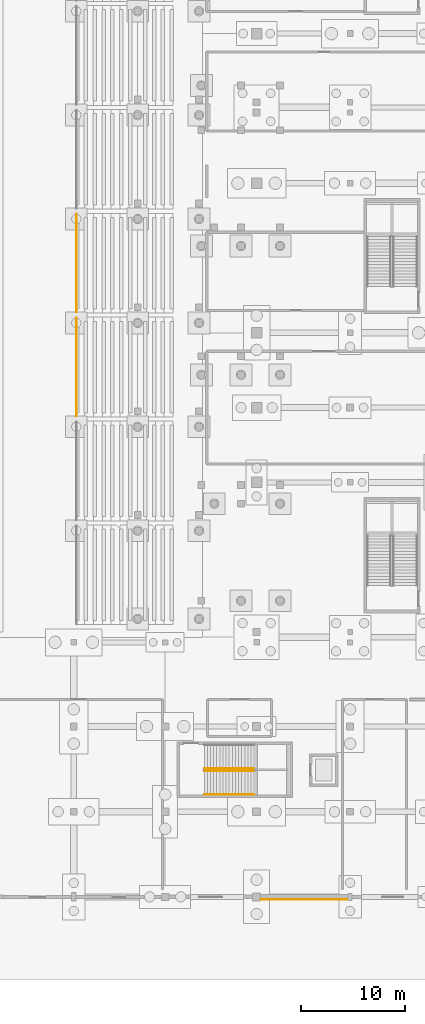
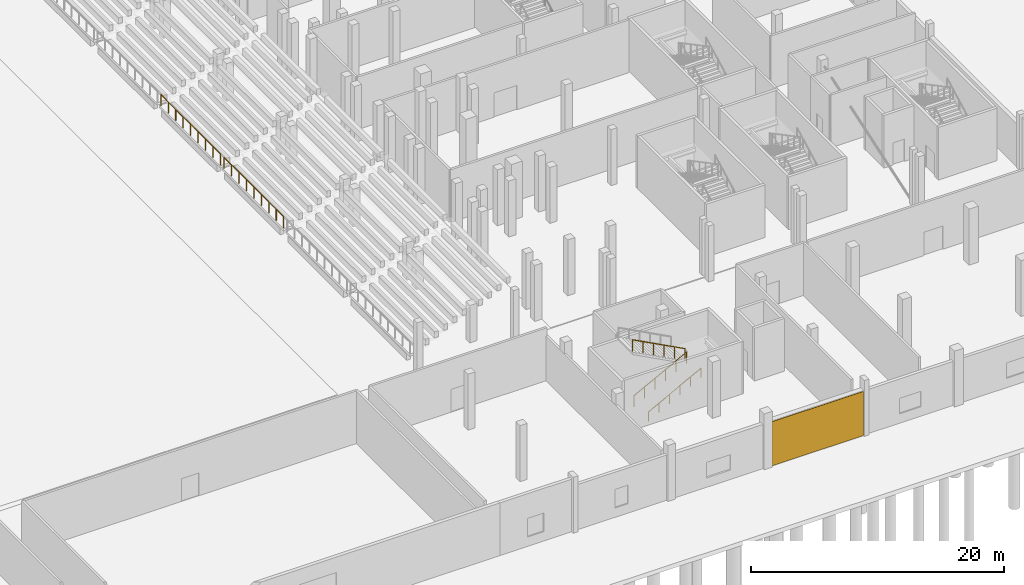
# One storey, part 75 of 89: 5 railings, 1 covering.
"""IFC4 building model written with IfcOpenShell, lengths in metres."""

from ifc_helpers import new_model, si_unit, direction, frame, origin, origin_2d, place, context, subcontext, project, spatial, rectangle, circle, extrude, material, layer, layer_set, type_object, element, save


model = new_model("IFC4")

# Units and contexts
model_context = context("Model", 3, precision=1e-05, world=origin(), true_north=direction((0.0, 1.0)))
body_context = subcontext(model_context, "Body", "Model", "MODEL_VIEW")
ifc_project = project(units=[si_unit("LENGTHUNIT", "METRE"), si_unit("AREAUNIT", "SQUARE_METRE"), si_unit("VOLUMEUNIT", "CUBIC_METRE"), si_unit("PLANEANGLEUNIT", "RADIAN"), si_unit("MASSUNIT", "GRAM", prefix="KILO")], contexts=[model_context])

# Site, building, storey
site_placement = place(None, origin())
site = spatial("IfcSite", under=ifc_project, at=site_placement, CompositionType="ELEMENT")
building_placement = place(site_placement, origin())
building = spatial("IfcBuilding", under=site, at=building_placement, Name="Koshinbarg Plaza Stadium", CompositionType="ELEMENT")
storey_placement = place(building_placement, origin())
storey = spatial("IfcBuildingStorey", under=building, at=storey_placement, Name="L00", CompositionType="ELEMENT", Elevation=0.0)

# Covering
ifc_material_1 = material(Name="Terracotta-ochre pigmented mineral render facade cladding", Category="masonry")
ifc_layer = layer(ifc_material_1, 0.0400390625)
ifc_layer_set = layer_set([ifc_layer], Name="Terracotta-ochre pigmented mineral render facade cladding")
covering_type = type_object("IfcCoveringType", Name="COV-CLADDING-01", PredefinedType="CLADDING", material=ifc_layer_set)
covering_placement = place(storey_placement, frame((184.987548828125, -0.2451171875, 0.0498046875), z_axis=(0.0, 0.0, 1.0), x_axis=(-1.0, 0.0, 0.0)))
element("IfcCovering", 1, at=covering_placement, inside=storey, type_object=covering_type, Name="L00 pigmented mineral facade cladding EWL-L00-0058", PredefinedType="CLADDING", context=body_context, shape_type="SweptSolid", body=[
    extrude(rectangle(XDim=8.3349609375, YDim=0.0400390625, at=origin_2d()), origin(), (0.0, 0.0, 1.0), 4.260009765625),
])

# Railings
ifc_material_2 = material(Name="Toughened laminated glass and stainless steel sightline balustrade", Category="steel")
railing_type_1 = type_object("IfcRailingType", Name="RL-BOWL-1100", PredefinedType="BALUSTRADE", material=ifc_material_2)
for number, where, name in (
    (2, (163.080078125, 46.280029296875, 1.02001953125), "LT-E03 front stand crowd barrier"),
    (3, (163.080078125, 56.280029296875, 1.02001953125), "LT-E04 front stand crowd barrier"),
):
    element("IfcRailing", number, at=place(storey_placement, frame(where)), inside=storey, type_object=railing_type_1, Name=name, PredefinedType="BALUSTRADE", context=body_context, shape_type="SweptSolid", body=[
        extrude(circle(Radius=0.02392578125, at=origin_2d()), frame((0.0, 0.0, 1.076171875), z_axis=(0.0, 1.0, 0.0), x_axis=(-1.0, 0.0, 0.0)), (0.0, 0.0, 1.0), 9.43994140625),
        extrude(circle(Radius=0.02099609375, at=origin_2d()), origin(), (0.0, 0.0, 1.0), 1.052001953125),
        extrude(circle(Radius=0.02099609375, at=origin_2d()), frame((0.0, 1.179931640625, 0.0)), (0.0, 0.0, 1.0), 1.052001953125),
        extrude(circle(Radius=0.02099609375, at=origin_2d()), frame((0.0, 2.35986328125, 0.0)), (0.0, 0.0, 1.0), 1.052001953125),
        extrude(circle(Radius=0.02099609375, at=origin_2d()), frame((0.0, 3.5400390625, 0.0)), (0.0, 0.0, 1.0), 1.052001953125),
        extrude(circle(Radius=0.02099609375, at=origin_2d()), frame((0.0, 4.719970703125, 0.0)), (0.0, 0.0, 1.0), 1.052001953125),
        extrude(circle(Radius=0.02099609375, at=origin_2d()), frame((0.0, 5.89990234375, 0.0)), (0.0, 0.0, 1.0), 1.052001953125),
        extrude(circle(Radius=0.02099609375, at=origin_2d()), frame((0.0, 7.080078125, 0.0)), (0.0, 0.0, 1.0), 1.052001953125),
        extrude(circle(Radius=0.02099609375, at=origin_2d()), frame((0.0, 8.260009765625, 0.0)), (0.0, 0.0, 1.0), 1.052001953125),
        extrude(circle(Radius=0.02099609375, at=origin_2d()), frame((0.0, 9.43994140625, 0.0)), (0.0, 0.0, 1.0), 1.052001953125),
    ])
ifc_material_3 = material(Name="Galvanized painted steel guardrail", Category="steel")
railing_type_2 = type_object("IfcRailingType", Name="RL-GUARD-1100", PredefinedType="GUARDRAIL", material=ifc_material_3)
railing_1_placement = place(storey_placement, frame((175.360107421875, 12.110107421875, 0.158935546875)))
element("IfcRailing", 4, at=railing_1_placement, inside=storey, type_object=railing_type_2, Name="L00 C14 stair guard 1", PredefinedType="GUARDRAIL", context=body_context, shape_type="SweptSolid", body=[
    extrude(circle(Radius=0.02392578125, at=origin_2d()), frame((0.0, 0.0, 1.076171875), z_axis=(0.883792290195, 0.0, 0.467879458614), x_axis=(0.0, 1.0, 0.0)), (0.0, 0.0, 1.0), 5.430908203125),
    extrude(circle(Radius=0.02099609375, at=origin_2d()), origin(), (0.0, 0.0, 1.0), 1.052001953125),
    extrude(circle(Radius=0.02099609375, at=origin_2d()), frame((0.9599609375, 0.0, 0.50830078125)), (0.0, 0.0, 1.0), 1.052001953125),
    extrude(circle(Radius=0.02099609375, at=origin_2d()), frame((1.919921875, 0.0, 1.016357421875)), (0.0, 0.0, 1.0), 1.052001953125),
    extrude(circle(Radius=0.02099609375, at=origin_2d()), frame((2.8798828125, 0.0, 1.524658203125)), (0.0, 0.0, 1.0), 1.052001953125),
    extrude(circle(Radius=0.02099609375, at=origin_2d()), frame((3.83984375, 0.0, 2.03271484375)), (0.0, 0.0, 1.0), 1.052001953125),
    extrude(circle(Radius=0.02099609375, at=origin_2d()), frame((4.7998046875, 0.0, 2.541015625)), (0.0, 0.0, 1.0), 1.052001953125),
])
railing_2_placement = place(storey_placement, frame((180.159912109375, 12.360107421875, 2.85888671875)))
element("IfcRailing", 5, at=railing_2_placement, inside=storey, type_object=railing_type_2, Name="L00 C14 stair guard 3", PredefinedType="GUARDRAIL", context=body_context, shape_type="SweptSolid", body=[
    extrude(circle(Radius=0.02392578125, at=origin_2d()), frame((0.0, 0.0, 1.076171875), z_axis=(-0.883792290195, 0.0, 0.467879458614), x_axis=(0.0, -1.0, 0.0)), (0.0, 0.0, 1.0), 5.430908203125),
    extrude(circle(Radius=0.02099609375, at=origin_2d()), origin(), (0.0, 0.0, 1.0), 1.052001953125),
    extrude(circle(Radius=0.02099609375, at=origin_2d()), frame((-0.9599609375, 0.0, 0.50830078125)), (0.0, 0.0, 1.0), 1.052001953125),
    extrude(circle(Radius=0.02099609375, at=origin_2d()), frame((-1.919921875, 0.0, 1.016357421875)), (0.0, 0.0, 1.0), 1.052001953125),
    extrude(circle(Radius=0.02099609375, at=origin_2d()), frame((-2.8798828125, 0.0, 1.524658203125)), (0.0, 0.0, 1.0), 1.052001953125),
    extrude(circle(Radius=0.02099609375, at=origin_2d()), frame((-3.83984375, 0.0, 2.03271484375)), (0.0, 0.0, 1.0), 1.052001953125),
    extrude(circle(Radius=0.02099609375, at=origin_2d()), frame((-4.7998046875, 0.0, 2.541015625)), (0.0, 0.0, 1.0), 1.052001953125),
])
ifc_material_4 = material(Name="Brushed stainless steel handrail", Category="steel")
railing_type_3 = type_object("IfcRailingType", Name="RL-HAND-900", PredefinedType="HANDRAIL", material=ifc_material_4)
railing_3_placement = place(storey_placement, frame((175.360107421875, 9.85009765625, 0.158935546875)))
element("IfcRailing", 6, at=railing_3_placement, inside=storey, type_object=railing_type_3, Name="L00 C14 stair handrail 1", PredefinedType="HANDRAIL", context=body_context, shape_type="SweptSolid", body=[
    extrude(circle(Radius=0.02392578125, at=origin_2d()), frame((0.0, 0.0, 0.8759765625), z_axis=(0.883792290195, 0.0, 0.467879458614), x_axis=(0.0, 1.0, 0.0)), (0.0, 0.0, 1.0), 5.430908203125),
    extrude(circle(Radius=0.02099609375, at=origin_2d()), origin(), (0.0, 0.0, 1.0), 0.851806640625),
    extrude(circle(Radius=0.02099609375, at=origin_2d()), frame((0.9599609375, 0.0, 0.50830078125)), (0.0, 0.0, 1.0), 0.851806640625),
    extrude(circle(Radius=0.02099609375, at=origin_2d()), frame((1.919921875, 0.0, 1.016357421875)), (0.0, 0.0, 1.0), 0.851806640625),
    extrude(circle(Radius=0.02099609375, at=origin_2d()), frame((2.8798828125, 0.0, 1.524658203125)), (0.0, 0.0, 1.0), 0.851806640625),
    extrude(circle(Radius=0.02099609375, at=origin_2d()), frame((3.83984375, 0.0, 2.03271484375)), (0.0, 0.0, 1.0), 0.851806640625),
    extrude(circle(Radius=0.02099609375, at=origin_2d()), frame((4.7998046875, 0.0, 2.541015625)), (0.0, 0.0, 1.0), 0.851806640625),
])

save(model, "model.ifc")
